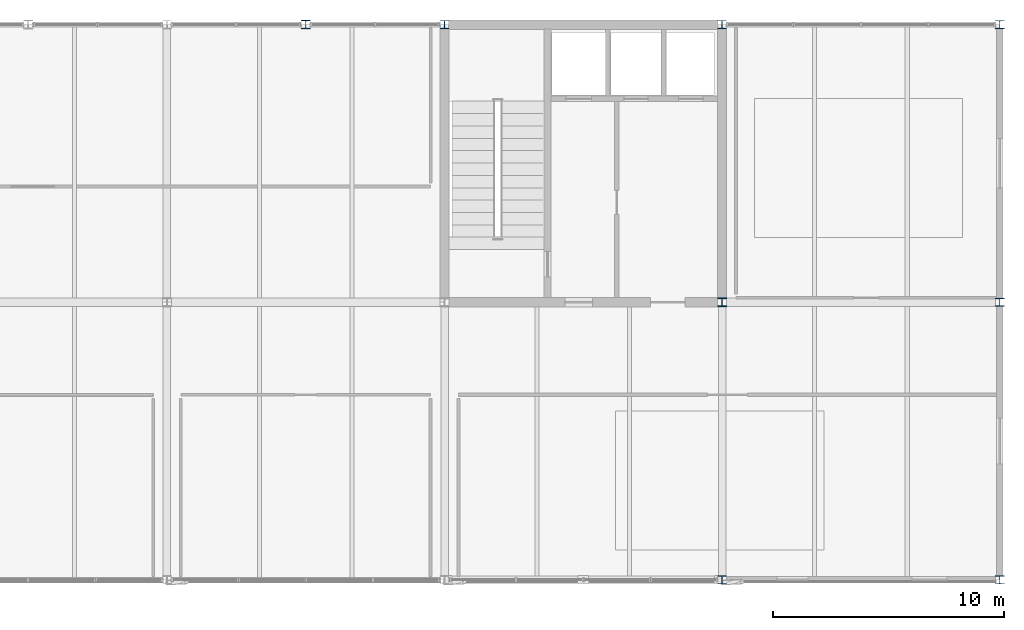
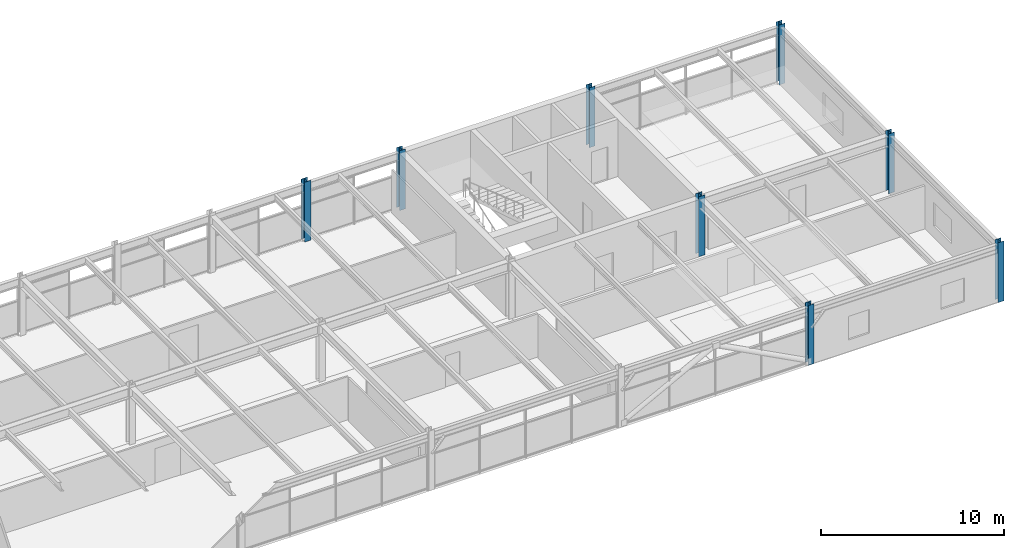
# One storey, part 3 of 40: 8 columns.
"""IFC4 building model written with IfcOpenShell, lengths in metres."""

import ifcopenshell
import ifcopenshell.guid

model = None  # the IFC model being written
_history = None  # IfcOwnerHistory: only IFC2X3 demands one
_inside = {}  # id of a spatial element -> (the spatial element, [elements in it])
_under = {}  # id of a project, library or spatial element -> (it, [spatial elements below it])
_declared = {}  # id of a project -> (the project, [libraries it declares])
_typed = {}  # id of a type object -> (the type object, [elements of that type])
_made_of = {}  # id of a material, layer set ... -> (it, [elements and type objects made of it])


def new_model(schema):
    """Start an empty IFC model of exactly this schema.

    Asked for "IFC4X3", IfcOpenShell would pick the latest addendum, in which some entities
    have other attributes; the version numbers below select the first issue.
    IFC2X3 requires an IfcOwnerHistory on every rooted entity: one is made here for all.
    """
    global model, _history
    if schema == "IFC4X3":
        model = ifcopenshell.file(schema_version=(4, 3, 0, 0))
    else:
        model = ifcopenshell.file(schema=schema)
    _inside.clear()
    _under.clear()
    _declared.clear()
    _typed.clear()
    _made_of.clear()
    _history = None
    if model.schema == "IFC2X3":
        org = make("IfcOrganization", Name="unknown")
        user = make(
            "IfcPersonAndOrganization",
            ThePerson=make("IfcPerson", FamilyName="unknown"),
            TheOrganization=org,
        )
        app = make(
            "IfcApplication",
            ApplicationDeveloper=org,
            Version="unknown",
            ApplicationFullName="unknown",
            ApplicationIdentifier="unknown",
        )
        _history = make(
            "IfcOwnerHistory",
            OwningUser=user,
            OwningApplication=app,
            ChangeAction="ADDED",
            CreationDate=0,
        )
    return model


def make(cls, **values):
    """One entity of the class cls with the attributes given. An attribute that is None is left unset."""
    return model.create_entity(
        cls, **{name: value for name, value in values.items() if value is not None}
    )


def rooted(cls, **values):
    """An entity with a GlobalId (a new one), such as an element, a storey or a relation."""
    return make(cls, GlobalId=ifcopenshell.guid.new(), OwnerHistory=_history, **values)


def si_unit(unit_type, name, prefix=None):
    """IfcSIUnit, for example si_unit("LENGTHUNIT", "METRE", prefix="MILLI")."""
    return make("IfcSIUnit", UnitType=unit_type, Prefix=prefix, Name=name)


def assignment(units):
    """IfcUnitAssignment: the units of a project."""
    return None if units is None else make("IfcUnitAssignment", Units=units)


def point(xyz):
    """IfcCartesianPoint."""
    return None if xyz is None else make("IfcCartesianPoint", Coordinates=xyz)


def direction(xyz):
    """IfcDirection."""
    return None if xyz is None else make("IfcDirection", DirectionRatios=xyz)


def frame(location, z_axis=None, x_axis=None):
    """IfcAxis2Placement3D, a coordinate frame: its origin and axes. An axis left out is left unset."""
    return make(
        "IfcAxis2Placement3D",
        Location=point(location),
        Axis=direction(z_axis),
        RefDirection=direction(x_axis),
    )


def frame_2d(location, x_axis=None):
    """IfcAxis2Placement2D, a coordinate frame in the plane: its origin and x axis."""
    return make(
        "IfcAxis2Placement2D", Location=point(location), RefDirection=direction(x_axis)
    )


def origin():
    """The frame at (0, 0, 0) with its axes left unset."""
    return frame((0.0, 0.0, 0.0))


def origin_2d():
    """The frame at (0, 0) in the plane with its x axis left unset."""
    return frame_2d((0.0, 0.0))


def place(relative_to, where):
    """IfcLocalPlacement: puts the frame where relative to a parent placement (None: the world)."""
    return make(
        "IfcLocalPlacement", PlacementRelTo=relative_to, RelativePlacement=where
    )


def context(
    kind, dimensions, precision=None, world=None, true_north=None, identifier=None
):
    """IfcGeometricRepresentationContext, for example the 3D "Model" context."""
    return make(
        "IfcGeometricRepresentationContext",
        ContextIdentifier=identifier,
        ContextType=kind,
        CoordinateSpaceDimension=dimensions,
        Precision=precision,
        WorldCoordinateSystem=world,
        TrueNorth=true_north,
    )


def subcontext(parent, identifier, kind, view, scale=None):
    """IfcGeometricRepresentationSubContext, for example "Body" below "Model"."""
    return make(
        "IfcGeometricRepresentationSubContext",
        ContextIdentifier=identifier,
        ContextType=kind,
        ParentContext=parent,
        TargetScale=scale,
        TargetView=view,
    )


def project(units=None, contexts=None):
    """IfcProject with its units and contexts."""
    return rooted(
        "IfcProject",
        Name="project",
        RepresentationContexts=contexts,
        UnitsInContext=assignment(units),
    )


def spatial(cls, under=None, at=None, **own):
    """A site, building, storey or space (cls), placed at a placement, below another one or the project."""
    s = rooted(cls, ObjectPlacement=at, **own)
    if under is not None:
        _under.setdefault(under.id(), (under, []))[1].append(s)
    return s


def profile(cls, at=None, kind="AREA", **sizes):
    """A parametric profile (cls). Its sizes go by their IFC names, for example OverallWidth=200.0."""
    return make(cls, ProfileType=kind, Position=at, **sizes)


def i_section(**sizes):
    """IfcIShapeProfileDef."""
    return profile("IfcIShapeProfileDef", **sizes)


def extrude(swept, where, along, depth):
    """IfcExtrudedAreaSolid: the profile swept, set in the frame where, extruded along a direction by depth."""
    return make(
        "IfcExtrudedAreaSolid",
        SweptArea=swept,
        Position=where,
        ExtrudedDirection=direction(along),
        Depth=depth,
    )


def shape(context_of_items, identifier, shape_type, items):
    """IfcShapeRepresentation: the items that make up one representation, for example the "Body"."""
    return make(
        "IfcShapeRepresentation",
        ContextOfItems=context_of_items,
        RepresentationIdentifier=identifier,
        RepresentationType=shape_type,
        Items=items,
    )


def material(Name=None, Category=None):
    """IfcMaterial."""
    return make("IfcMaterial", Name=Name, Category=Category)


def material_profile(
    of_material, cross_section, Name=None, Category=None, Priority=None
):
    """IfcMaterialProfile: a cross section and its material."""
    return make(
        "IfcMaterialProfile",
        Name=Name,
        Material=of_material,
        Profile=cross_section,
        Priority=Priority,
        Category=Category,
    )


def profile_set(profiles, Name=None, composite=None):
    """IfcMaterialProfileSet."""
    return make(
        "IfcMaterialProfileSet",
        Name=Name,
        MaterialProfiles=profiles,
        CompositeProfile=composite,
    )


def made_of(thing, what):
    """Note that an element or type object is made of a material, layer set ...; save() writes the relation."""
    if what is not None:
        _made_of.setdefault(what.id(), (what, []))[1].append(thing)
    return thing


def type_object(cls, material=None, **own):
    """A type object (cls), such as IfcWallType, which elements share."""
    return made_of(rooted(cls, **own), material)


def element(
    cls,
    number,
    at=None,
    inside=None,
    cuts=None,
    type_object=None,
    material=None,
    context=None,
    identifier="Body",
    shape_type=None,
    held_by="IfcProductDefinitionShape",
    body=None,
    shapes=None,
    **own,
):
    """One element of the class cls, such as IfcWall. Its Tag is "e" and its number.

    at: its placement. inside: the storey or other place that contains it. cuts: it is an
    opening in that element (IfcRelVoidsElement). A single representation is given by context,
    identifier, shape_type and body (its items); several are given by shapes. held_by: the class
    of the entity that holds the representations. save() writes the other relations.
    """
    e = rooted(cls, Tag="e%d" % number, ObjectPlacement=at, **own)
    if body is not None:
        shapes = [shape(context, identifier, shape_type, body)]
    if shapes is not None:
        e.Representation = make(held_by, Representations=shapes)
    if inside is not None:
        _inside.setdefault(inside.id(), (inside, []))[1].append(e)
    if cuts is not None:
        rooted(
            "IfcRelVoidsElement", RelatingBuildingElement=cuts, RelatedOpeningElement=e
        )
    if type_object is not None:
        _typed.setdefault(type_object.id(), (type_object, []))[1].append(e)
    return made_of(e, material)


def aggregate(whole, parts):
    """IfcRelAggregates: a whole, such as a stair, and the parts it consists of."""
    return rooted("IfcRelAggregates", RelatingObject=whole, RelatedObjects=parts)


def save(model, path):
    """Write the relations noted so far, then the file.

    IfcRelAggregates (storeys below a building ...), IfcRelContainedInSpatialStructure (elements
    in a storey), IfcRelDefinesByType, IfcRelAssociatesMaterial and IfcRelDeclares: one each for
    every whole, place, type object, material and project.
    """
    for whole, parts in _under.values():
        aggregate(whole, parts)
    for where, things in _inside.values():
        rooted(
            "IfcRelContainedInSpatialStructure",
            RelatedElements=things,
            RelatingStructure=where,
        )
    for kind, things in _typed.values():
        rooted("IfcRelDefinesByType", RelatedObjects=things, RelatingType=kind)
    for what, things in _made_of.values():
        rooted("IfcRelAssociatesMaterial", RelatedObjects=things, RelatingMaterial=what)
    for by, libraries in _declared.values():
        rooted("IfcRelDeclares", RelatingContext=by, RelatedDefinitions=libraries)
    model.write(path)


model = new_model("IFC4")

# Units and contexts
model_context = context("Model", 3, precision=1e-05, world=origin(), true_north=direction((0.0, 1.0)))
body_context = subcontext(model_context, "Body", "Model", "MODEL_VIEW")
ifc_project = project(units=[si_unit("LENGTHUNIT", "METRE"), si_unit("AREAUNIT", "SQUARE_METRE"), si_unit("VOLUMEUNIT", "CUBIC_METRE"), si_unit("PLANEANGLEUNIT", "RADIAN"), si_unit("MASSUNIT", "GRAM", prefix="KILO")], contexts=[model_context])

# Site, building, storey
site_placement = place(None, origin())
site = spatial("IfcSite", under=ifc_project, at=site_placement, CompositionType="ELEMENT")
building_placement = place(site_placement, origin())
building = spatial("IfcBuilding", under=site, at=building_placement, Name="Girod Span Mobility Hub", CompositionType="ELEMENT")
storey_placement = place(building_placement, frame((0.0, 0.0, 53.60009765625)))
storey = spatial("IfcBuildingStorey", under=building, at=storey_placement, Name="L13", CompositionType="ELEMENT", Elevation=53.60009765625)

# Columns
ifc_material_1 = material(Name="Steel A992 Grade 50", Category="steel")
ifc_material_profile_1 = material_profile(ifc_material_1, i_section(OverallWidth=0.39404296875, OverallDepth=0.375, WebThickness=0.017333984375, FlangeThickness=0.027587890625, FilletRadius=0.01806640625, at=origin_2d()), Name="W14X145")
ifc_profile_set_1 = profile_set([ifc_material_profile_1], Name="Steel A992 Grade 50")
column_type_1 = type_object("IfcColumnType", Name="COL-STL-W14X145", PredefinedType="COLUMN", material=ifc_profile_set_1)
for number, where, z_axis, x_axis, name in (
    (1, (120.0, 57.0, 0.0), (0.0, 0.0, 1.0), (1.0, 0.0, 0.0), "Column 11E L13"),
    (2, (102.0, 69.0, 0.0), (0.0, 0.0, 1.0), (1.0, 0.0, 0.0), "Facade Intermediate Column INT-4 L13"),
):
    element("IfcColumn", number, at=place(storey_placement, frame(where, z_axis=z_axis, x_axis=x_axis)), inside=storey, type_object=column_type_1, Name=name, PredefinedType="COLUMN", context=body_context, shape_type="SweptSolid", body=[
        extrude(i_section(OverallWidth=0.39404296875, OverallDepth=0.375, WebThickness=0.017333984375, FlangeThickness=0.027587890625, FilletRadius=0.01806640625, at=origin_2d()), origin(), (0.0, 0.0, 1.0), 4.0),
    ])
ifc_material_2 = material(Name="Steel A992 Grade 50", Category="steel")
ifc_material_profile_2 = material_profile(ifc_material_2, i_section(OverallWidth=0.368896484375, OverallDepth=0.35595703125, WebThickness=0.01123046875, FlangeThickness=0.01806640625, FilletRadius=0.01806640625, at=origin_2d()), Name="W14X90")
ifc_profile_set_2 = profile_set([ifc_material_profile_2], Name="Steel A992 Grade 50")
column_type_2 = type_object("IfcColumnType", Name="COL-STL-W14X90", PredefinedType="COLUMN", material=ifc_profile_set_2)
for number, where, z_axis, x_axis, name in (
    (3, (108.0, 69.0, 0.0), (0.0, 0.0, 1.0), (1.0, 0.0, 0.0), "Column 10F L13"),
    (4, (120.0, 45.0, 0.0), (0.0, 0.0, 1.0), (1.0, 0.0, 0.0), "Column 11D L13"),
    (5, (120.0, 69.0, 0.0), (0.0, 0.0, 1.0), (1.0, 0.0, 0.0), "Column 11F L13"),
    (6, (132.0, 45.0, 0.0), (0.0, 0.0, 1.0), (1.0, 0.0, 0.0), "Column 12D L13"),
    (7, (132.0, 57.0, 0.0), (0.0, 0.0, 1.0), (1.0, 0.0, 0.0), "Column 12E L13"),
    (8, (132.0, 69.0, 0.0), (0.0, 0.0, 1.0), (1.0, 0.0, 0.0), "Column 12F L13"),
):
    element("IfcColumn", number, at=place(storey_placement, frame(where, z_axis=z_axis, x_axis=x_axis)), inside=storey, type_object=column_type_2, Name=name, PredefinedType="COLUMN", context=body_context, shape_type="SweptSolid", body=[
        extrude(i_section(OverallWidth=0.368896484375, OverallDepth=0.35595703125, WebThickness=0.01123046875, FlangeThickness=0.01806640625, FilletRadius=0.01806640625, at=origin_2d()), origin(), (0.0, 0.0, 1.0), 4.0),
    ])

save(model, "model.ifc")
